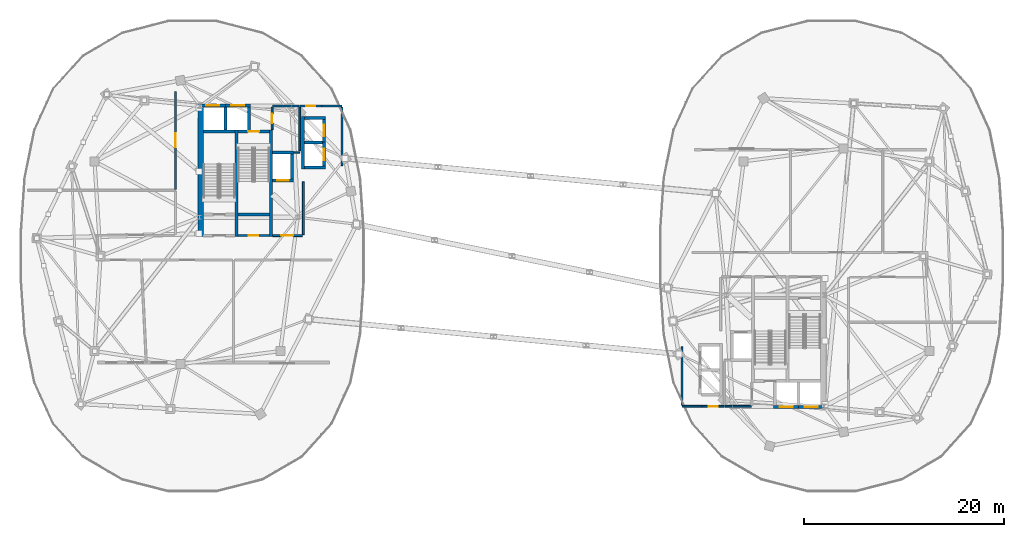
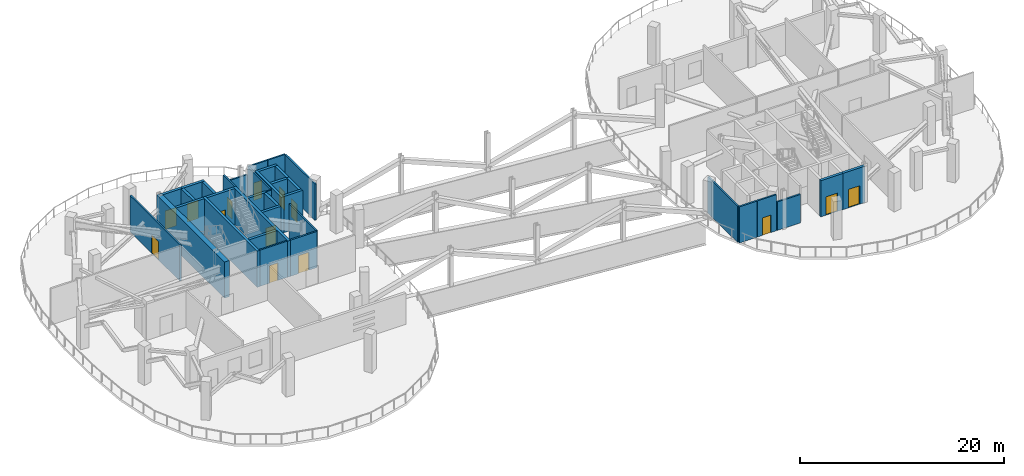
# One storey, part 8 of 16: 36 walls, 14 doors, 14 openings.
"""IFC4 building model written with IfcOpenShell, lengths in metres."""

from ifc_helpers import new_model, si_unit, direction, frame, frame_2d, origin, place, context, subcontext, project, spatial, rectangle, extrude, material, layer, layer_set, type_object, element, fill, save


model = new_model("IFC4")

# Units and contexts
model_context = context("Model", 3, precision=1e-05, world=origin(), true_north=direction((0.0, 1.0)))
body_context = subcontext(model_context, "Body", "Model", "MODEL_VIEW")
ifc_project = project(units=[si_unit("LENGTHUNIT", "METRE"), si_unit("AREAUNIT", "SQUARE_METRE"), si_unit("VOLUMEUNIT", "CUBIC_METRE"), si_unit("PLANEANGLEUNIT", "RADIAN"), si_unit("MASSUNIT", "GRAM", prefix="KILO"), si_unit("THERMODYNAMICTEMPERATUREUNIT", "KELVIN"), si_unit("POWERUNIT", "WATT")], contexts=[model_context])

# Site, building, storey
site_placement = place(None, origin())
site = spatial("IfcSite", under=ifc_project, at=site_placement, CompositionType="ELEMENT")
building_placement = place(site_placement, origin())
building = spatial("IfcBuilding", under=site, at=building_placement, Name="Cundina Bronze Exchange", CompositionType="ELEMENT")
storey_placement = place(building_placement, frame((0.0, 0.0, 235.0)))
storey = spatial("IfcBuildingStorey", under=building, at=storey_placement, Name="L62", CompositionType="ELEMENT", Elevation=235.0)

# Wall
ifc_material_1 = material(Name="Gypsum Fireboard Partition EI120")
ifc_layer_1 = layer(ifc_material_1, 0.179931640625, Name="Gypsum Fireboard Partition EI120")
ifc_layer_set_1 = layer_set([ifc_layer_1], Name="Gypsum Fireboard Partition EI120")
wall_type_1 = type_object("IfcWallType", Name="WL-COR-180", PredefinedType="PARTITIONING", material=ifc_layer_set_1)
wall_1_placement = place(storey_placement, frame((-20.889892578125, 2.14990234375, 0.0), z_axis=(0.0, 0.0, 1.0), x_axis=(0.0, 1.0, 0.0)))
element("IfcWall", 1, at=wall_1_placement, inside=storey, type_object=wall_type_1, Name="L62 W Firefighting Lobby Side Wall", PredefinedType="PARTITIONING", context=body_context, shape_type="SweptSolid", body=[
    extrude(rectangle(XDim=5.300048828125, YDim=0.179931640625, at=frame_2d((2.64990234375, 0.0))), origin(), (0.0, 0.0, 1.0), 4.340087890625),
])

# Wall, opening, door
wall_2_placement = place(storey_placement, frame((-23.97998046875, 2.06005859375, 0.0), z_axis=(0.0, 0.0, 1.0), x_axis=(1.0, 0.0, 0.0)))
wall_2 = element("IfcWall", 2, at=wall_2_placement, inside=storey, type_object=wall_type_1, Name="L62 W Firefighting Lobby Exit Wall", PredefinedType="PARTITIONING", context=body_context, shape_type="SweptSolid", body=[
    extrude(rectangle(XDim=3.0, YDim=0.179931640625, at=frame_2d((1.5, 0.0))), origin(), (0.0, 0.0, 1.0), 4.340087890625),
])
opening_1_placement = place(wall_2_placement, frame((0.89990234375, 0.0, 0.0)))
opening_1 = element("IfcOpeningElement", 3, at=opening_1_placement, cuts=wall_2, Name="Opening DF-01", PredefinedType="OPENING", context=body_context, shape_type="SweptSolid", body=[
    extrude(rectangle(XDim=1.199951171875, YDim=2.14990234375, at=frame_2d((0.60009765625, 1.074951171875))), frame((0.0, 0.099853515625, 0.0), z_axis=(0.0, -1.0, 0.0), x_axis=(1.0, 0.0, 0.0)), (0.0, 0.0, 1.0), 0.199951171875),
])
ifc_material_2 = material(Name="Steel ASTM A36 Painted", Category="steel")
door_type_1 = type_object("IfcDoorType", Name="DR-FFL-1200", OperationType="NOTDEFINED", PredefinedType="DOOR", material=ifc_material_2)
door_1_placement = place(opening_1_placement, origin())
door_1 = element("IfcDoor", 4, at=door_1_placement, inside=storey, type_object=door_type_1, Name="L62 W Firefighting Lobby Door", OperationType="SINGLE_SWING_RIGHT", OverallHeight=2.14990234375, OverallWidth=1.199951171875, PredefinedType="DOOR", context=body_context, shape_type="SweptSolid", body=[
    extrude(rectangle(XDim=1.199951171875, YDim=2.14990234375, at=frame_2d((0.60009765625, 1.074951171875))), frame((0.0, 0.02490234375, 0.0), z_axis=(0.0, -1.0, 0.0), x_axis=(1.0, 0.0, 0.0)), (0.0, 0.0, 1.0), 0.050048828125),
])
fill(opening_1, door_1)

# Wall
wall_3_placement = place(storey_placement, frame((-17.02001953125, 9.070068359375, 0.0), z_axis=(0.0, 0.0, 1.0), x_axis=(0.0, 1.0, 0.0)))
element("IfcWall", 5, at=wall_3_placement, inside=storey, type_object=wall_type_1, Name="L62 Interior Partition 001", PredefinedType="PARTITIONING", context=body_context, shape_type="SweptSolid", body=[
    extrude(rectangle(XDim=5.85986328125, YDim=0.179931640625, at=frame_2d((2.929931640625, 0.0))), origin(), (0.0, 0.0, 1.0), 4.340087890625),
])

# Wall, opening, door
wall_4_placement = place(storey_placement, frame((-21.22998046875, 15.030029296875, 0.0), z_axis=(0.0, 0.0, 1.0), x_axis=(1.0, 0.0, 0.0)))
wall_4 = element("IfcWall", 6, at=wall_4_placement, inside=storey, type_object=wall_type_1, Name="L62 Interior Partition 002", PredefinedType="PARTITIONING", context=body_context, shape_type="SweptSolid", body=[
    extrude(rectangle(XDim=2.159912109375, YDim=0.179931640625, at=frame_2d((1.080078125, 0.0))), origin(), (0.0, 0.0, 1.0), 4.340087890625),
])
opening_2_placement = place(wall_4_placement, frame((0.60498046875, 0.0, 0.0)))
opening_2 = element("IfcOpeningElement", 7, at=opening_2_placement, cuts=wall_4, Name="Opening DW-01", PredefinedType="OPENING", context=body_context, shape_type="SweptSolid", body=[
    extrude(rectangle(XDim=0.949951171875, YDim=2.10009765625, at=frame_2d((0.47509765625, 1.050048828125))), frame((0.0, 0.099853515625, 0.0), z_axis=(0.0, -1.0, 0.0), x_axis=(1.0, 0.0, 0.0)), (0.0, 0.0, 1.0), 0.199951171875),
])
ifc_material_3 = material(Name="Solid Andean Oak Timber Grade A", Category="wood")
door_type_2 = type_object("IfcDoorType", Name="DR-WC-950", OperationType="NOTDEFINED", PredefinedType="DOOR", material=ifc_material_3)
door_2_placement = place(opening_2_placement, origin())
door_2 = element("IfcDoor", 8, at=door_2_placement, inside=storey, type_object=door_type_2, Name="L62 Interior Door 002", OperationType="SINGLE_SWING_LEFT", OverallHeight=2.10009765625, OverallWidth=0.949951171875, PredefinedType="DOOR", context=body_context, shape_type="SweptSolid", body=[
    extrude(rectangle(XDim=0.949951171875, YDim=2.10009765625, at=frame_2d((0.47509765625, 1.050048828125))), frame((0.0, 0.02490234375, 0.0), z_axis=(0.0, -1.0, 0.0), x_axis=(1.0, 0.0, 0.0)), (0.0, 0.0, 1.0), 0.050048828125),
])
fill(opening_2, door_2)

# Walls
wall_5_placement = place(storey_placement, frame((-19.030029296875, 15.030029296875, 0.0), z_axis=(0.0, 0.0, 1.0), x_axis=(1.0, 0.0, 0.0)))
element("IfcWall", 9, at=wall_5_placement, inside=storey, type_object=wall_type_1, Name="L62 Interior Partition 003", PredefinedType="PARTITIONING", context=body_context, shape_type="SweptSolid", body=[
    extrude(rectangle(XDim=1.989990234375, YDim=0.179931640625, at=frame_2d((0.9951171875, 0.0))), origin(), (0.0, 0.0, 1.0), 4.340087890625),
])
wall_6_placement = place(storey_placement, frame((-21.25, 10.570068359375, 0.0), z_axis=(0.0, 0.0, 1.0), x_axis=(0.0, 1.0, 0.0)))
element("IfcWall", 10, at=wall_6_placement, inside=storey, type_object=wall_type_1, Name="L62 Interior Partition 005", PredefinedType="PARTITIONING", context=body_context, shape_type="SweptSolid", body=[
    extrude(rectangle(XDim=4.35986328125, YDim=0.179931640625, at=frame_2d((2.179931640625, 0.0))), origin(), (0.0, 0.0, 1.0), 4.340087890625),
])
wall_7_placement = place(storey_placement, frame((-23.9599609375, 15.030029296875, 0.0), z_axis=(0.0, 0.0, 1.0), x_axis=(1.0, 0.0, 0.0)))
element("IfcWall", 11, at=wall_7_placement, inside=storey, type_object=wall_type_1, Name="L62 Interior Partition 006", PredefinedType="PARTITIONING", context=body_context, shape_type="SweptSolid", body=[
    extrude(rectangle(XDim=2.60986328125, YDim=0.179931640625, at=frame_2d((1.304931640625, 0.0))), origin(), (0.0, 0.0, 1.0), 3.4130859375),
])

# Wall, opening, door
wall_8_placement = place(storey_placement, frame((-27.419921875, 2.070068359375, 0.0), z_axis=(0.0, 0.0, 1.0), x_axis=(1.0, 0.0, 0.0)))
wall_8 = element("IfcWall", 12, at=wall_8_placement, inside=storey, type_object=wall_type_1, Name="L62 Interior Partition 007", PredefinedType="PARTITIONING", context=body_context, shape_type="SweptSolid", body=[
    extrude(rectangle(XDim=3.119873046875, YDim=0.179931640625, at=frame_2d((1.56005859375, 0.0))), origin(), (0.0, 0.0, 1.0), 4.340087890625),
])
opening_3_placement = place(wall_8_placement, frame((1.0849609375, 0.0, 0.0)))
opening_3 = element("IfcOpeningElement", 13, at=opening_3_placement, cuts=wall_8, Name="Opening DW-01", PredefinedType="OPENING", context=body_context, shape_type="SweptSolid", body=[
    extrude(rectangle(XDim=0.949951171875, YDim=2.10009765625, at=frame_2d((0.47509765625, 1.050048828125))), frame((0.0, 0.099853515625, 0.0), z_axis=(0.0, -1.0, 0.0), x_axis=(1.0, 0.0, 0.0)), (0.0, 0.0, 1.0), 0.199951171875),
])
door_3_placement = place(opening_3_placement, origin())
door_3 = element("IfcDoor", 14, at=door_3_placement, inside=storey, type_object=door_type_2, Name="L62 Interior Door 007", OperationType="SINGLE_SWING_LEFT", OverallHeight=2.10009765625, OverallWidth=0.949951171875, PredefinedType="DOOR", context=body_context, shape_type="SweptSolid", body=[
    extrude(rectangle(XDim=0.949951171875, YDim=2.10009765625, at=frame_2d((0.47509765625, 1.050048828125))), frame((0.0, 0.02490234375, 0.0), z_axis=(0.0, -1.0, 0.0), x_axis=(1.0, 0.0, 0.0)), (0.0, 0.0, 1.0), 0.050048828125),
])
fill(opening_3, door_3)

wall_9_placement = place(storey_placement, frame((-24.02001953125, 12.669921875, 0.0), z_axis=(0.0, 0.0, 1.0), x_axis=(0.0, 1.0, 0.0)))
wall_9 = element("IfcWall", 15, at=wall_9_placement, inside=storey, type_object=wall_type_1, Name="L62 Interior Partition 008", PredefinedType="PARTITIONING", context=body_context, shape_type="SweptSolid", body=[
    extrude(rectangle(XDim=2.260009765625, YDim=0.179931640625, at=frame_2d((1.1298828125, 0.0))), origin(), (0.0, 0.0, 1.0), 4.340087890625),
])
opening_4_placement = place(wall_9_placement, frame((0.655029296875, 0.0, 0.0)))
opening_4 = element("IfcOpeningElement", 16, at=opening_4_placement, cuts=wall_9, Name="Opening DW-01", PredefinedType="OPENING", context=body_context, shape_type="SweptSolid", body=[
    extrude(rectangle(XDim=0.949951171875, YDim=2.10009765625, at=frame_2d((0.47509765625, 1.050048828125))), frame((0.0, 0.099853515625, 0.0), z_axis=(0.0, -1.0, 0.0), x_axis=(1.0, 0.0, 0.0)), (0.0, 0.0, 1.0), 0.199951171875),
])
door_4_placement = place(opening_4_placement, origin())
door_4 = element("IfcDoor", 17, at=door_4_placement, inside=storey, type_object=door_type_2, Name="L62 Interior Door 008", OperationType="SINGLE_SWING_LEFT", OverallHeight=2.10009765625, OverallWidth=0.949951171875, PredefinedType="DOOR", context=body_context, shape_type="SweptSolid", body=[
    extrude(rectangle(XDim=0.949951171875, YDim=2.10009765625, at=frame_2d((0.47509765625, 1.050048828125))), frame((0.0, 0.02490234375, 0.0), z_axis=(0.0, -1.0, 0.0), x_axis=(1.0, 0.0, 0.0)), (0.0, 0.0, 1.0), 0.050048828125),
])
fill(opening_4, door_4)

wall_10_placement = place(storey_placement, frame((-33.68994140625, 16.47998046875, 0.0), z_axis=(0.0, 0.0, 1.0), x_axis=(0.0, -1.0, 0.0)))
wall_10 = element("IfcWall", 18, at=wall_10_placement, inside=storey, type_object=wall_type_1, Name="L62 Interior Partition 017", PredefinedType="PARTITIONING", context=body_context, shape_type="SweptSolid", body=[
    extrude(rectangle(XDim=9.780029296875, YDim=0.179931640625, at=frame_2d((4.89013671875, 0.0))), origin(), (0.0, 0.0, 1.0), 4.340087890625),
])
opening_5_placement = place(wall_10_placement, frame((4.18994140625, 0.0, 0.0)))
opening_5 = element("IfcOpeningElement", 19, at=opening_5_placement, cuts=wall_10, Name="Opening DP-01", PredefinedType="OPENING", context=body_context, shape_type="SweptSolid", body=[
    extrude(rectangle(XDim=1.39990234375, YDim=2.199951171875, at=frame_2d((0.699951171875, 1.10009765625))), frame((0.0, 0.099853515625, 0.0), z_axis=(0.0, -1.0, 0.0), x_axis=(1.0, 0.0, 0.0)), (0.0, 0.0, 1.0), 0.199951171875),
])
door_type_3 = type_object("IfcDoorType", Name="DR-PLT-1400", OperationType="NOTDEFINED", PredefinedType="DOOR", material=ifc_material_2)
door_5_placement = place(opening_5_placement, origin())
door_5 = element("IfcDoor", 20, at=door_5_placement, inside=storey, type_object=door_type_3, Name="L62 Interior Door 017", OperationType="SINGLE_SWING_LEFT", OverallHeight=2.199951171875, OverallWidth=1.39990234375, PredefinedType="DOOR", context=body_context, shape_type="SweptSolid", body=[
    extrude(rectangle(XDim=1.39990234375, YDim=2.199951171875, at=frame_2d((0.699951171875, 1.10009765625))), frame((0.0, 0.02490234375, 0.0), z_axis=(0.0, -1.0, 0.0), x_axis=(1.0, 0.0, 0.0)), (0.0, 0.0, 1.0), 0.050048828125),
])
fill(opening_5, door_5)

# Walls
wall_11_placement = place(storey_placement, frame((17.02001953125, -14.929931640625, 0.0), z_axis=(0.0, 0.0, 1.0), x_axis=(0.0, 1.0, 0.0)))
element("IfcWall", 21, at=wall_11_placement, inside=storey, type_object=wall_type_1, Name="L62 Interior Partition 019", PredefinedType="PARTITIONING", context=body_context, shape_type="SweptSolid", body=[
    extrude(rectangle(XDim=5.85986328125, YDim=0.179931640625, at=frame_2d((2.929931640625, 0.0))), origin(), (0.0, 0.0, 1.0), 4.340087890625),
])
wall_12_placement = place(storey_placement, frame((17.0400390625, -15.030029296875, 0.0), z_axis=(0.0, 0.0, 1.0), x_axis=(1.0, 0.0, 0.0)))
element("IfcWall", 22, at=wall_12_placement, inside=storey, type_object=wall_type_1, Name="L62 Interior Partition 020", PredefinedType="PARTITIONING", context=body_context, shape_type="SweptSolid", body=[
    extrude(rectangle(XDim=1.989990234375, YDim=0.179931640625, at=frame_2d((0.9951171875, 0.0))), origin(), (0.0, 0.0, 1.0), 4.340087890625),
])

# Wall, opening, door
wall_13_placement = place(storey_placement, frame((21.22998046875, -15.030029296875, 0.0), z_axis=(0.0, 0.0, 1.0), x_axis=(-1.0, 0.0, 0.0)))
wall_13 = element("IfcWall", 23, at=wall_13_placement, inside=storey, type_object=wall_type_1, Name="L62 Interior Partition 021", PredefinedType="PARTITIONING", context=body_context, shape_type="SweptSolid", body=[
    extrude(rectangle(XDim=2.159912109375, YDim=0.179931640625, at=frame_2d((1.080078125, 0.0))), origin(), (0.0, 0.0, 1.0), 4.340087890625),
])
opening_6_placement = place(wall_13_placement, frame((0.60498046875, 0.0, 0.0)))
opening_6 = element("IfcOpeningElement", 24, at=opening_6_placement, cuts=wall_13, Name="Opening DW-01", PredefinedType="OPENING", context=body_context, shape_type="SweptSolid", body=[
    extrude(rectangle(XDim=0.949951171875, YDim=2.10009765625, at=frame_2d((0.47509765625, 1.050048828125))), frame((0.0, 0.099853515625, 0.0), z_axis=(0.0, -1.0, 0.0), x_axis=(1.0, 0.0, 0.0)), (0.0, 0.0, 1.0), 0.199951171875),
])
door_6_placement = place(opening_6_placement, origin())
door_6 = element("IfcDoor", 25, at=door_6_placement, inside=storey, type_object=door_type_2, Name="L62 Interior Door 021", OperationType="SINGLE_SWING_RIGHT", OverallHeight=2.10009765625, OverallWidth=0.949951171875, PredefinedType="DOOR", context=body_context, shape_type="SweptSolid", body=[
    extrude(rectangle(XDim=0.949951171875, YDim=2.10009765625, at=frame_2d((0.47509765625, 1.050048828125))), frame((0.0, 0.02490234375, 0.0), z_axis=(0.0, -1.0, 0.0), x_axis=(1.0, 0.0, 0.0)), (0.0, 0.0, 1.0), 0.050048828125),
])
fill(opening_6, door_6)

# Walls
wall_14_placement = place(storey_placement, frame((21.35009765625, -15.030029296875, 0.0), z_axis=(0.0, 0.0, 1.0), x_axis=(1.0, 0.0, 0.0)))
element("IfcWall", 26, at=wall_14_placement, inside=storey, type_object=wall_type_1, Name="L62 Interior Partition 024", PredefinedType="PARTITIONING", context=body_context, shape_type="SweptSolid", body=[
    extrude(rectangle(XDim=2.60986328125, YDim=0.179931640625, at=frame_2d((1.304931640625, 0.0))), origin(), (0.0, 0.0, 1.0), 3.4130859375),
])
ifc_material_4 = material(Name="Concrete C50/60", Category="concrete")
ifc_layer_2 = layer(ifc_material_4, 0.550048828125, Name="Concrete C50/60", Category="concrete")
ifc_layer_set_2 = layer_set([ifc_layer_2], Name="Concrete C50/60")
wall_type_2 = type_object("IfcWallType", Name="WL-CORE-550", PredefinedType="SHEAR", material=ifc_layer_set_2)
wall_15_placement = place(storey_placement, frame((-31.175048828125, 1.969970703125, 0.0), z_axis=(0.0, 0.0, 1.0), x_axis=(0.0, 1.0, 0.0)))
element("IfcWall", 27, at=wall_15_placement, inside=storey, type_object=wall_type_2, Name="L62 W Primary Core Shear Spine Wall", PredefinedType="SHEAR", context=body_context, shape_type="SweptSolid", body=[
    extrude(rectangle(XDim=13.330078125, YDim=0.550048828125, at=frame_2d((6.6650390625, 0.0))), origin(), (0.0, 0.0, 1.0), 4.340087890625),
])
ifc_layer_3 = layer(ifc_material_4, 0.300048828125, Name="Concrete C50/60", Category="concrete")
ifc_layer_set_3 = layer_set([ifc_layer_3], Name="Concrete C50/60")
wall_type_3 = type_object("IfcWallType", Name="WL-SHFT-300", PredefinedType="SHEAR", material=ifc_layer_set_3)
for number, where, z_axis, x_axis, name in (
    (28, (-27.590087890625, 1.969970703125, 0.0), (0.0, 0.0, 1.0), (0.0, 1.0, 0.0), "L62 W Stair Shaft Dividing Shear Wall"),
    (29, (-24.1298828125, 1.969970703125, 0.0), (0.0, 0.0, 1.0), (0.0, 1.0, 0.0), "L62 W Stair 2 East Shear Wall"),
):
    element("IfcWall", number, at=place(storey_placement, frame(where, z_axis=z_axis, x_axis=x_axis)), inside=storey, type_object=wall_type_3, Name=name, PredefinedType="SHEAR", context=body_context, shape_type="SweptSolid", body=[
        extrude(rectangle(XDim=10.679931640625, YDim=0.300048828125, at=frame_2d((5.33984375, 0.0))), origin(), (0.0, 0.0, 1.0), 4.340087890625),
    ])
wall_16_placement = place(storey_placement, frame((-30.89990234375, 12.5, 0.0), z_axis=(0.0, 0.0, 1.0), x_axis=(1.0, 0.0, 0.0)))
element("IfcWall", 30, at=wall_16_placement, inside=storey, type_object=wall_type_3, Name="L62 Stair W1 Far Shaft Wall", PredefinedType="SHEAR", context=body_context, shape_type="SweptSolid", body=[
    extrude(rectangle(XDim=3.159912109375, YDim=0.300048828125, at=frame_2d((1.580078125, 0.0))), origin(), (0.0, 0.0, 1.0), 4.340087890625),
])

# Wall, opening, door
wall_17_placement = place(storey_placement, frame((-27.43994140625, 12.5, 0.0), z_axis=(0.0, 0.0, 1.0), x_axis=(1.0, 0.0, 0.0)))
wall_17 = element("IfcWall", 31, at=wall_17_placement, inside=storey, type_object=wall_type_3, Name="L62 Stair W2 Landing Wall", PredefinedType="SHEAR", context=body_context, shape_type="SweptSolid", body=[
    extrude(rectangle(XDim=3.159912109375, YDim=0.300048828125, at=frame_2d((1.580078125, 0.0))), origin(), (0.0, 0.0, 1.0), 4.340087890625),
])
opening_7_placement = place(wall_17_placement, frame((1.030029296875, 0.0, 0.0)))
opening_7 = element("IfcOpeningElement", 32, at=opening_7_placement, cuts=wall_17, Name="Opening DS-01", PredefinedType="OPENING", context=body_context, shape_type="SweptSolid", body=[
    extrude(rectangle(XDim=1.10009765625, YDim=2.14990234375, at=frame_2d((0.550048828125, 1.074951171875))), frame((0.0, 0.159912109375, 0.0), z_axis=(0.0, -1.0, 0.0), x_axis=(1.0, 0.0, 0.0)), (0.0, 0.0, 1.0), 0.320068359375),
])
door_type_4 = type_object("IfcDoorType", Name="DR-STR-1100", OperationType="NOTDEFINED", PredefinedType="DOOR", material=ifc_material_2)
door_7_placement = place(opening_7_placement, origin())
door_7 = element("IfcDoor", 33, at=door_7_placement, inside=storey, type_object=door_type_4, Name="L62 Smokeproof Stair W2 Door", OperationType="SINGLE_SWING_LEFT", OverallHeight=2.14990234375, OverallWidth=1.10009765625, PredefinedType="DOOR", context=body_context, shape_type="SweptSolid", body=[
    extrude(rectangle(XDim=1.10009765625, YDim=2.14990234375, at=frame_2d((0.550048828125, 1.074951171875))), frame((0.0, 0.02490234375, 0.0), z_axis=(0.0, -1.0, 0.0), x_axis=(1.0, 0.0, 0.0)), (0.0, 0.0, 1.0), 0.050048828125),
])
fill(opening_7, door_7)

# Wall
wall_18_placement = place(storey_placement, frame((-27.43994140625, 4.199951171875, 0.0), z_axis=(0.0, 0.0, 1.0), x_axis=(1.0, 0.0, 0.0)))
element("IfcWall", 34, at=wall_18_placement, inside=storey, type_object=wall_type_3, Name="L62 Stair W2 Far Shaft Wall", PredefinedType="SHEAR", context=body_context, shape_type="SweptSolid", body=[
    extrude(rectangle(XDim=3.159912109375, YDim=0.300048828125, at=frame_2d((1.580078125, 0.0))), origin(), (0.0, 0.0, 1.0), 4.340087890625),
])

# Wall, opening, door
wall_19_placement = place(storey_placement, frame((-23.97998046875, 7.60009765625, 0.0), z_axis=(0.0, 0.0, 1.0), x_axis=(1.0, 0.0, 0.0)))
wall_19 = element("IfcWall", 35, at=wall_19_placement, inside=storey, type_object=wall_type_3, Name="L62 FFL-W Hoistway Front Wall", PredefinedType="SHEAR", context=body_context, shape_type="SweptSolid", body=[
    extrude(rectangle(XDim=2.10009765625, YDim=0.300048828125, at=frame_2d((1.050048828125, 0.0))), origin(), (0.0, 0.0, 1.0), 4.340087890625),
])
opening_8_placement = place(wall_19_placement, frame((0.47509765625, 0.0, 0.0)))
opening_8 = element("IfcOpeningElement", 36, at=opening_8_placement, cuts=wall_19, Name="Opening LD-01", PredefinedType="OPENING", context=body_context, shape_type="SweptSolid", body=[
    extrude(rectangle(XDim=1.14990234375, YDim=2.199951171875, at=frame_2d((0.574951171875, 1.10009765625))), frame((0.0, 0.159912109375, 0.0), z_axis=(0.0, -1.0, 0.0), x_axis=(1.0, 0.0, 0.0)), (0.0, 0.0, 1.0), 0.320068359375),
])
door_type_5 = type_object("IfcDoorType", Name="DR-LND-1150", OperationType="NOTDEFINED", PredefinedType="TRAPDOOR", material=ifc_material_2)
door_8_placement = place(opening_8_placement, origin())
door_8 = element("IfcDoor", 37, at=door_8_placement, inside=storey, type_object=door_type_5, Name="L62 FFL-W Sliding Landing Door", OperationType="SLIDING_TO_LEFT", OverallHeight=2.199951171875, OverallWidth=1.14990234375, PredefinedType="TRAPDOOR", context=body_context, shape_type="SweptSolid", body=[
    extrude(rectangle(XDim=1.14990234375, YDim=2.199951171875, at=frame_2d((0.574951171875, 1.10009765625))), frame((0.0, 0.02490234375, 0.0), z_axis=(0.0, -1.0, 0.0), x_axis=(1.0, 0.0, 0.0)), (0.0, 0.0, 1.0), 0.050048828125),
])
fill(opening_8, door_8)

# Walls
wall_20_placement = place(storey_placement, frame((-23.97998046875, 10.39990234375, 0.0), z_axis=(0.0, 0.0, 1.0), x_axis=(1.0, 0.0, 0.0)))
element("IfcWall", 38, at=wall_20_placement, inside=storey, type_object=wall_type_3, Name="L62 FFL-W Hoistway Back Wall", PredefinedType="SHEAR", context=body_context, shape_type="SweptSolid", body=[
    extrude(rectangle(XDim=2.10009765625, YDim=0.300048828125, at=frame_2d((1.050048828125, 0.0))), origin(), (0.0, 0.0, 1.0), 4.340087890625),
])
wall_21_placement = place(storey_placement, frame((-22.030029296875, 7.75, 0.0), z_axis=(0.0, 0.0, 1.0), x_axis=(0.0, 1.0, 0.0)))
element("IfcWall", 39, at=wall_21_placement, inside=storey, type_object=wall_type_3, Name="L62 FFL-W Hoistway Side Wall", PredefinedType="SHEAR", context=body_context, shape_type="SweptSolid", body=[
    extrude(rectangle(XDim=2.5, YDim=0.300048828125, at=frame_2d((1.25, 0.0))), origin(), (0.0, 0.0, 1.0), 4.340087890625),
])

# Wall, opening, door
wall_22_placement = place(storey_placement, frame((-31.199951171875, 15.10009765625, 0.0), z_axis=(0.0, 0.0, 1.0), x_axis=(1.0, 0.0, 0.0)))
wall_22 = element("IfcWall", 40, at=wall_22_placement, inside=storey, type_object=wall_type_3, Name="L62 PH-W1 Hoistway Front Wall", PredefinedType="SHEAR", context=body_context, shape_type="SweptSolid", body=[
    extrude(rectangle(XDim=2.5, YDim=0.300048828125, at=frame_2d((1.25, 0.0))), origin(), (0.0, 0.0, 1.0), 4.340087890625),
])
opening_9_placement = place(wall_22_placement, frame((0.60009765625, 0.0, 0.0)))
opening_9 = element("IfcOpeningElement", 41, at=opening_9_placement, cuts=wall_22, Name="Opening LD-02", PredefinedType="OPENING", context=body_context, shape_type="SweptSolid", body=[
    extrude(rectangle(XDim=1.300048828125, YDim=2.199951171875, at=frame_2d((0.64990234375, 1.10009765625))), frame((0.0, 0.159912109375, 0.0), z_axis=(0.0, -1.0, 0.0), x_axis=(1.0, 0.0, 0.0)), (0.0, 0.0, 1.0), 0.320068359375),
])
door_type_6 = type_object("IfcDoorType", Name="DR-LND-1300", OperationType="NOTDEFINED", PredefinedType="TRAPDOOR", material=ifc_material_2)
door_9_placement = place(opening_9_placement, origin())
door_9 = element("IfcDoor", 42, at=door_9_placement, inside=storey, type_object=door_type_6, Name="L62 PH-W1 Sliding Landing Door", OperationType="SLIDING_TO_LEFT", OverallHeight=2.199951171875, OverallWidth=1.300048828125, PredefinedType="TRAPDOOR", context=body_context, shape_type="SweptSolid", body=[
    extrude(rectangle(XDim=1.300048828125, YDim=2.199951171875, at=frame_2d((0.64990234375, 1.10009765625))), frame((0.0, 0.02490234375, 0.0), z_axis=(0.0, -1.0, 0.0), x_axis=(1.0, 0.0, 0.0)), (0.0, 0.0, 1.0), 0.050048828125),
])
fill(opening_9, door_9)

# Wall
wall_23_placement = place(storey_placement, frame((-28.699951171875, 12.64990234375, 0.0), z_axis=(0.0, 0.0, 1.0), x_axis=(0.0, 1.0, 0.0)))
element("IfcWall", 43, at=wall_23_placement, inside=storey, type_object=wall_type_3, Name="L62 PH-W1 Hoistway Divider Wall", PredefinedType="SHEAR", context=body_context, shape_type="SweptSolid", body=[
    extrude(rectangle(XDim=2.300048828125, YDim=0.300048828125, at=frame_2d((1.14990234375, 0.0))), origin(), (0.0, 0.0, 1.0), 4.340087890625),
])

# Wall, opening, door
wall_24_placement = place(storey_placement, frame((-28.699951171875, 15.10009765625, 0.0), z_axis=(0.0, 0.0, 1.0), x_axis=(1.0, 0.0, 0.0)))
wall_24 = element("IfcWall", 44, at=wall_24_placement, inside=storey, type_object=wall_type_3, Name="L62 PH-W2 Hoistway Front Wall", PredefinedType="SHEAR", context=body_context, shape_type="SweptSolid", body=[
    extrude(rectangle(XDim=2.5, YDim=0.300048828125, at=frame_2d((1.25, 0.0))), origin(), (0.0, 0.0, 1.0), 4.340087890625),
])
opening_10_placement = place(wall_24_placement, frame((0.60009765625, 0.0, 0.0)))
opening_10 = element("IfcOpeningElement", 45, at=opening_10_placement, cuts=wall_24, Name="Opening LD-02", PredefinedType="OPENING", context=body_context, shape_type="SweptSolid", body=[
    extrude(rectangle(XDim=1.300048828125, YDim=2.199951171875, at=frame_2d((0.64990234375, 1.10009765625))), frame((0.0, 0.159912109375, 0.0), z_axis=(0.0, -1.0, 0.0), x_axis=(1.0, 0.0, 0.0)), (0.0, 0.0, 1.0), 0.320068359375),
])
door_10_placement = place(opening_10_placement, origin())
door_10 = element("IfcDoor", 46, at=door_10_placement, inside=storey, type_object=door_type_6, Name="L62 PH-W2 Sliding Landing Door", OperationType="SLIDING_TO_LEFT", OverallHeight=2.199951171875, OverallWidth=1.300048828125, PredefinedType="TRAPDOOR", context=body_context, shape_type="SweptSolid", body=[
    extrude(rectangle(XDim=1.300048828125, YDim=2.199951171875, at=frame_2d((0.64990234375, 1.10009765625))), frame((0.0, 0.02490234375, 0.0), z_axis=(0.0, -1.0, 0.0), x_axis=(1.0, 0.0, 0.0)), (0.0, 0.0, 1.0), 0.050048828125),
])
fill(opening_10, door_10)

# Walls
wall_25_placement = place(storey_placement, frame((-26.35009765625, 12.64990234375, 0.0), z_axis=(0.0, 0.0, 1.0), x_axis=(0.0, 1.0, 0.0)))
element("IfcWall", 47, at=wall_25_placement, inside=storey, type_object=wall_type_3, Name="L62 PH-W2 Hoistway Divider Wall", PredefinedType="SHEAR", context=body_context, shape_type="SweptSolid", body=[
    extrude(rectangle(XDim=2.300048828125, YDim=0.300048828125, at=frame_2d((1.14990234375, 0.0))), origin(), (0.0, 0.0, 1.0), 4.340087890625),
])
wall_26_placement = place(storey_placement, frame((-20.949951171875, 8.75, 0.0), z_axis=(0.0, 0.0, 1.0), x_axis=(0.0, 1.0, 0.0)))
element("IfcWall", 48, at=wall_26_placement, inside=storey, type_object=wall_type_3, Name="L62 W Passenger Bank Hoistway Back Wall", PredefinedType="SHEAR", context=body_context, shape_type="SweptSolid", body=[
    extrude(rectangle(XDim=5.25, YDim=0.300048828125, at=frame_2d((2.625, 0.0))), origin(), (0.0, 0.0, 1.0), 4.340087890625),
])
for number, where, z_axis, x_axis, name in (
    (49, (-20.800048828125, 8.89990234375, 0.0), (0.0, 0.0, 1.0), (1.0, 0.0, 0.0), "L62 W Passenger Bank South Cap Wall"),
    (50, (-20.800048828125, 13.85009765625, 0.0), (0.0, 0.0, 1.0), (1.0, 0.0, 0.0), "L62 W Passenger Bank North Cap Wall"),
):
    element("IfcWall", number, at=place(storey_placement, frame(where, z_axis=z_axis, x_axis=x_axis)), inside=storey, type_object=wall_type_3, Name=name, PredefinedType="SHEAR", context=body_context, shape_type="SweptSolid", body=[
        extrude(rectangle(XDim=2.150146484375, YDim=0.300048828125, at=frame_2d((1.0751953125, 0.0))), origin(), (0.0, 0.0, 1.0), 4.340087890625),
    ])
wall_27_placement = place(storey_placement, frame((-20.800048828125, 11.375, 0.0), z_axis=(0.0, 0.0, 1.0), x_axis=(1.0, 0.0, 0.0)))
element("IfcWall", 51, at=wall_27_placement, inside=storey, type_object=wall_type_3, Name="L62 W Passenger Hoistway Divider 1", PredefinedType="SHEAR", context=body_context, shape_type="SweptSolid", body=[
    extrude(rectangle(XDim=1.85009765625, YDim=0.300048828125, at=frame_2d((0.925048828125, 0.0))), origin(), (0.0, 0.0, 1.0), 4.340087890625),
])

# Wall, opening, door
wall_28_placement = place(storey_placement, frame((-18.800048828125, 8.929931640625, 0.0), z_axis=(0.0, 0.0, 1.0), x_axis=(0.0, 1.0, 0.0)))
wall_28 = element("IfcWall", 52, at=wall_28_placement, inside=storey, type_object=wall_type_3, Name="L62 PM-W2 Hoistway Front Wall", PredefinedType="SHEAR", context=body_context, shape_type="SweptSolid", body=[
    extrude(rectangle(XDim=2.489990234375, YDim=0.300048828125, at=frame_2d((1.2451171875, 0.0))), origin(), (0.0, 0.0, 1.0), 4.340087890625),
])
opening_11_placement = place(wall_28_placement, frame((0.669921875, 0.0, 0.0)))
opening_11 = element("IfcOpeningElement", 53, at=opening_11_placement, cuts=wall_28, Name="Opening LD-01", PredefinedType="OPENING", context=body_context, shape_type="SweptSolid", body=[
    extrude(rectangle(XDim=1.14990234375, YDim=2.199951171875, at=frame_2d((0.574951171875, 1.10009765625))), frame((0.0, 0.159912109375, 0.0), z_axis=(0.0, -1.0, 0.0), x_axis=(1.0, 0.0, 0.0)), (0.0, 0.0, 1.0), 0.320068359375),
])
door_11_placement = place(opening_11_placement, origin())
door_11 = element("IfcDoor", 54, at=door_11_placement, inside=storey, type_object=door_type_5, Name="L62 PM-W2 Sliding Landing Door", OperationType="SLIDING_TO_LEFT", OverallHeight=2.199951171875, OverallWidth=1.14990234375, PredefinedType="TRAPDOOR", context=body_context, shape_type="SweptSolid", body=[
    extrude(rectangle(XDim=1.14990234375, YDim=2.199951171875, at=frame_2d((0.574951171875, 1.10009765625))), frame((0.0, 0.02490234375, 0.0), z_axis=(0.0, -1.0, 0.0), x_axis=(1.0, 0.0, 0.0)), (0.0, 0.0, 1.0), 0.050048828125),
])
fill(opening_11, door_11)

wall_29_placement = place(storey_placement, frame((-18.800048828125, 11.330078125, 0.0), z_axis=(0.0, 0.0, 1.0), x_axis=(0.0, 1.0, 0.0)))
wall_29 = element("IfcWall", 55, at=wall_29_placement, inside=storey, type_object=wall_type_3, Name="L62 PM-W1 Hoistway Front Wall", PredefinedType="SHEAR", context=body_context, shape_type="SweptSolid", body=[
    extrude(rectangle(XDim=2.489990234375, YDim=0.300048828125, at=frame_2d((1.2451171875, 0.0))), origin(), (0.0, 0.0, 1.0), 4.340087890625),
])
opening_12_placement = place(wall_29_placement, frame((0.669921875, 0.0, 0.0)))
opening_12 = element("IfcOpeningElement", 56, at=opening_12_placement, cuts=wall_29, Name="Opening LD-01", PredefinedType="OPENING", context=body_context, shape_type="SweptSolid", body=[
    extrude(rectangle(XDim=1.14990234375, YDim=2.199951171875, at=frame_2d((0.574951171875, 1.10009765625))), frame((0.0, 0.159912109375, 0.0), z_axis=(0.0, -1.0, 0.0), x_axis=(1.0, 0.0, 0.0)), (0.0, 0.0, 1.0), 0.320068359375),
])
door_12_placement = place(opening_12_placement, origin())
door_12 = element("IfcDoor", 57, at=door_12_placement, inside=storey, type_object=door_type_5, Name="L62 PM-W1 Sliding Landing Door", OperationType="SLIDING_TO_LEFT", OverallHeight=2.199951171875, OverallWidth=1.14990234375, PredefinedType="TRAPDOOR", context=body_context, shape_type="SweptSolid", body=[
    extrude(rectangle(XDim=1.14990234375, YDim=2.199951171875, at=frame_2d((0.574951171875, 1.10009765625))), frame((0.0, 0.02490234375, 0.0), z_axis=(0.0, -1.0, 0.0), x_axis=(1.0, 0.0, 0.0)), (0.0, 0.0, 1.0), 0.050048828125),
])
fill(opening_12, door_12)

wall_30_placement = place(storey_placement, frame((28.699951171875, -15.10009765625, 0.0), z_axis=(0.0, 0.0, 1.0), x_axis=(1.0, 0.0, 0.0)))
wall_30 = element("IfcWall", 58, at=wall_30_placement, inside=storey, type_object=wall_type_3, Name="L62 PH-E1 Hoistway Front Wall", PredefinedType="SHEAR", context=body_context, shape_type="SweptSolid", body=[
    extrude(rectangle(XDim=2.5, YDim=0.300048828125, at=frame_2d((1.25, 0.0))), origin(), (0.0, 0.0, 1.0), 4.340087890625),
])
opening_13_placement = place(wall_30_placement, frame((0.60009765625, 0.0, 0.0)))
opening_13 = element("IfcOpeningElement", 59, at=opening_13_placement, cuts=wall_30, Name="Opening LD-02", PredefinedType="OPENING", context=body_context, shape_type="SweptSolid", body=[
    extrude(rectangle(XDim=1.300048828125, YDim=2.199951171875, at=frame_2d((0.64990234375, 1.10009765625))), frame((0.0, 0.159912109375, 0.0), z_axis=(0.0, -1.0, 0.0), x_axis=(1.0, 0.0, 0.0)), (0.0, 0.0, 1.0), 0.320068359375),
])
door_13_placement = place(opening_13_placement, origin())
door_13 = element("IfcDoor", 60, at=door_13_placement, inside=storey, type_object=door_type_6, Name="L62 PH-E1 Sliding Landing Door", OperationType="SLIDING_TO_LEFT", OverallHeight=2.199951171875, OverallWidth=1.300048828125, PredefinedType="TRAPDOOR", context=body_context, shape_type="SweptSolid", body=[
    extrude(rectangle(XDim=1.300048828125, YDim=2.199951171875, at=frame_2d((0.64990234375, 1.10009765625))), frame((0.0, 0.02490234375, 0.0), z_axis=(0.0, -1.0, 0.0), x_axis=(1.0, 0.0, 0.0)), (0.0, 0.0, 1.0), 0.050048828125),
])
fill(opening_13, door_13)

wall_31_placement = place(storey_placement, frame((26.199951171875, -15.10009765625, 0.0), z_axis=(0.0, 0.0, 1.0), x_axis=(1.0, 0.0, 0.0)))
wall_31 = element("IfcWall", 61, at=wall_31_placement, inside=storey, type_object=wall_type_3, Name="L62 PH-E2 Hoistway Front Wall", PredefinedType="SHEAR", context=body_context, shape_type="SweptSolid", body=[
    extrude(rectangle(XDim=2.5, YDim=0.300048828125, at=frame_2d((1.25, 0.0))), origin(), (0.0, 0.0, 1.0), 4.340087890625),
])
opening_14_placement = place(wall_31_placement, frame((0.60009765625, 0.0, 0.0)))
opening_14 = element("IfcOpeningElement", 62, at=opening_14_placement, cuts=wall_31, Name="Opening LD-02", PredefinedType="OPENING", context=body_context, shape_type="SweptSolid", body=[
    extrude(rectangle(XDim=1.300048828125, YDim=2.199951171875, at=frame_2d((0.64990234375, 1.10009765625))), frame((0.0, 0.159912109375, 0.0), z_axis=(0.0, -1.0, 0.0), x_axis=(1.0, 0.0, 0.0)), (0.0, 0.0, 1.0), 0.320068359375),
])
door_14_placement = place(opening_14_placement, origin())
door_14 = element("IfcDoor", 63, at=door_14_placement, inside=storey, type_object=door_type_6, Name="L62 PH-E2 Sliding Landing Door", OperationType="SLIDING_TO_LEFT", OverallHeight=2.199951171875, OverallWidth=1.300048828125, PredefinedType="TRAPDOOR", context=body_context, shape_type="SweptSolid", body=[
    extrude(rectangle(XDim=1.300048828125, YDim=2.199951171875, at=frame_2d((0.64990234375, 1.10009765625))), frame((0.0, 0.02490234375, 0.0), z_axis=(0.0, -1.0, 0.0), x_axis=(1.0, 0.0, 0.0)), (0.0, 0.0, 1.0), 0.050048828125),
])
fill(opening_14, door_14)

# Wall
ifc_material_5 = material(Name="Moisture-Resistant Masonry Block Grade M15", Category="masonry")
ifc_layer_4 = layer(ifc_material_5, 0.139892578125, Name="Moisture-Resistant Masonry Block Grade M15", Category="masonry")
ifc_layer_set_4 = layer_set([ifc_layer_4], Name="Moisture-Resistant Masonry Block Grade M15")
wall_type_4 = type_object("IfcWallType", Name="WL-WET-140", PredefinedType="PARTITIONING", material=ifc_layer_set_4)
wall_32_placement = place(storey_placement, frame((-21.860107421875, 10.39990234375, 0.0), z_axis=(0.0, 0.0, 1.0), x_axis=(1.0, 0.0, 0.0)))
element("IfcWall", 64, at=wall_32_placement, inside=storey, type_object=wall_type_4, Name="L62 Interior Partition 004", PredefinedType="PARTITIONING", context=body_context, shape_type="SweptSolid", body=[
    extrude(rectangle(XDim=0.590087890625, YDim=0.139892578125, at=frame_2d((0.294921875, 0.0))), origin(), (0.0, 0.0, 1.0), 4.340087890625),
])

save(model, "model.ifc")
